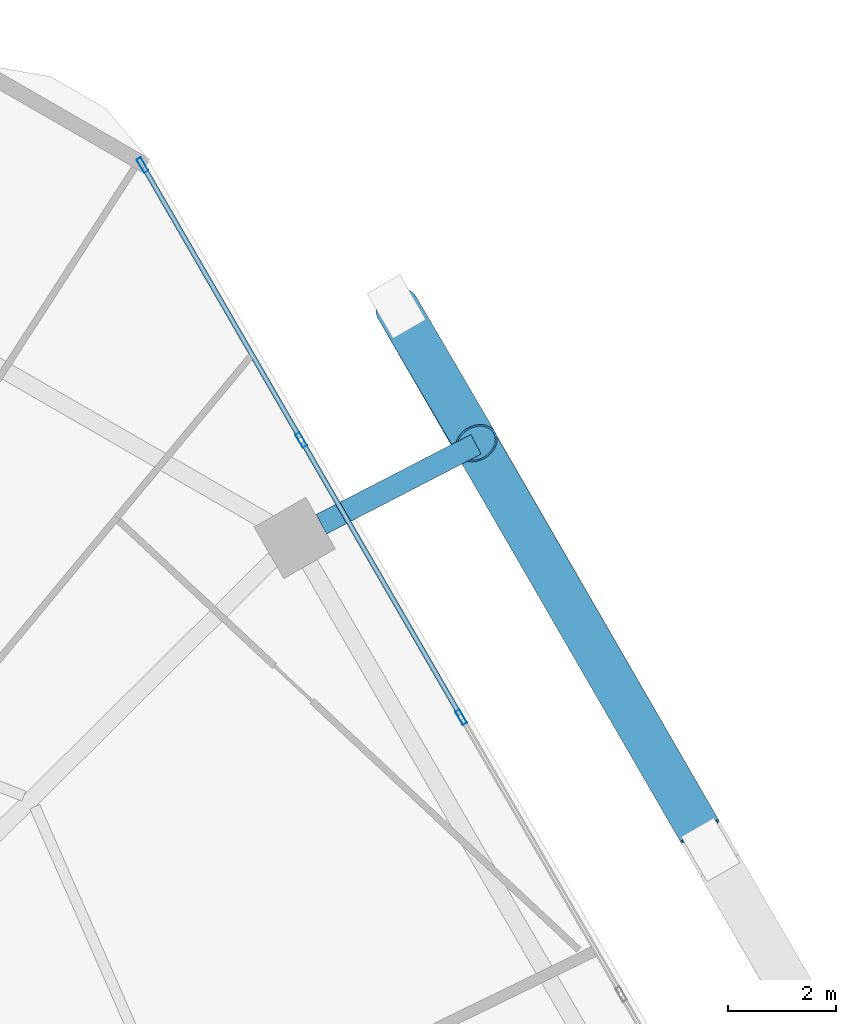
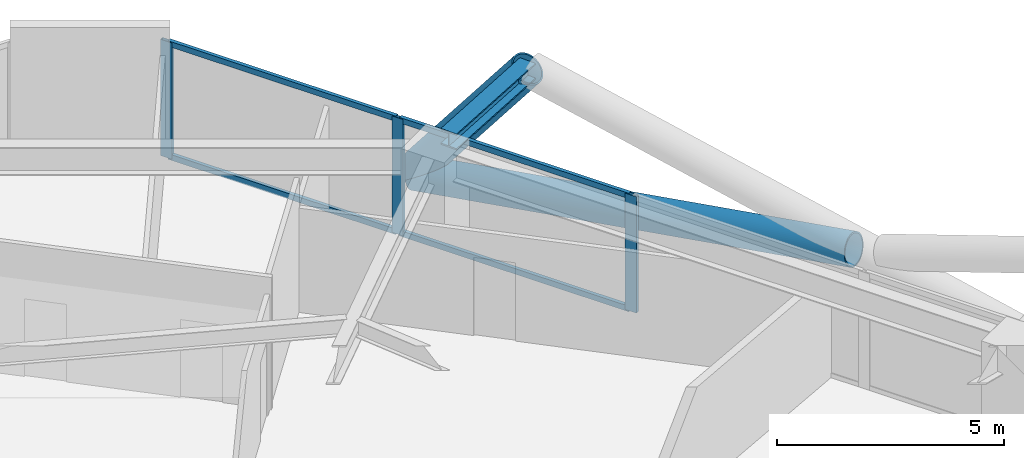
# One storey, part 24 of 35: 9 members, 1 beam, 1 element without a shape of its own.
"""IFC4 building model written with IfcOpenShell, lengths in metres."""

from ifc_helpers import new_model, si_unit, direction, frame, origin, origin_2d, place, context, subcontext, project, spatial, hollow_rectangle, hollow_circle, i_section, extrude, material, material_profile, profile_set, type_object, element, aggregate, save


model = new_model("IFC4")

# Units and contexts
model_context = context("Model", 3, precision=1e-05, world=origin(), true_north=direction((0.0, 1.0)))
body_context = subcontext(model_context, "Body", "Model", "MODEL_VIEW")
ifc_project = project(units=[si_unit("LENGTHUNIT", "METRE"), si_unit("AREAUNIT", "SQUARE_METRE"), si_unit("VOLUMEUNIT", "CUBIC_METRE"), si_unit("PLANEANGLEUNIT", "RADIAN"), si_unit("MASSUNIT", "GRAM", prefix="KILO")], contexts=[model_context])

# Site, building, storey
site_placement = place(None, origin())
site = spatial("IfcSite", under=ifc_project, at=site_placement, CompositionType="ELEMENT")
building_placement = place(site_placement, origin())
building = spatial("IfcBuilding", under=site, at=building_placement, Name="Zuhravey Tower", CompositionType="ELEMENT")
storey_placement = place(building_placement, frame((0.0, 0.0, 138.0)))
storey = spatial("IfcBuildingStorey", under=building, at=storey_placement, Name="L34", CompositionType="ELEMENT", Elevation=138.0)

# Curtain wall, members
ifc_material_1 = material(Name="Thermally broken anodised aluminium", Category="aluminium")
curtain_wall_type = type_object("IfcCurtainWallType", Name="Zone 1-2 Residential Curtain Wall CW3", PredefinedType="NOTDEFINED", material=ifc_material_1)
curtain_wall_placement = place(storey_placement, origin())
curtain_wall = element("IfcCurtainWall", 1, at=curtain_wall_placement, inside=storey, type_object=curtain_wall_type, Name="L34 CW3 CW-L34-F1-1", PredefinedType="NOTDEFINED")
ifc_material_2 = material(Name="Anodised aluminium", Category="aluminium")
ifc_material_profile_1 = material_profile(ifc_material_2, hollow_rectangle(XDim=0.090087890625, YDim=0.284912109375, WallThickness=0.0048828125, at=origin_2d()), Name="ALU-RHS-90x285x5")
ifc_profile_set_1 = profile_set([ifc_material_profile_1], Name="Anodised aluminium")
member_type_1 = type_object("IfcMemberType", Name="Curtain-Wall Mullion 90x180", PredefinedType="MULLION", material=ifc_profile_set_1)
member_1_placement = place(storey_placement, frame((53.701416015625, 59.257080078125, 0.0), z_axis=(0.0, 0.0, 1.0), x_axis=(0.86602552265, 0.499999794119, 0.0)))
member_1 = element("IfcMember", 2, at=member_1_placement, type_object=member_type_1, Name="CW3 mullion 1", PredefinedType="MULLION", context=body_context, shape_type="SweptSolid", body=[
    extrude(hollow_rectangle(XDim=0.090087890625, YDim=0.284912109375, WallThickness=0.0048828125, at=origin_2d()), origin(), (0.0, 0.0, 1.0), 3.1220703125),
])
member_2_placement = place(storey_placement, frame((56.638916015625, 54.169189453125, 0.0), z_axis=(0.0, 0.0, 1.0), x_axis=(0.86602552265, 0.499999794119, 0.0)))
member_2 = element("IfcMember", 3, at=member_2_placement, type_object=member_type_1, Name="CW3 mullion 2", PredefinedType="MULLION", context=body_context, shape_type="SweptSolid", body=[
    extrude(hollow_rectangle(XDim=0.090087890625, YDim=0.284912109375, WallThickness=0.0048828125, at=origin_2d()), origin(), (0.0, 0.0, 1.0), 3.1220703125),
])
member_3_placement = place(storey_placement, frame((59.598876953125, 49.04248046875, 0.0), z_axis=(0.0, 0.0, 1.0), x_axis=(0.86602552265, 0.499999794119, 0.0)))
member_3 = element("IfcMember", 4, at=member_3_placement, type_object=member_type_1, Name="CW3 mullion 3", PredefinedType="MULLION", context=body_context, shape_type="SweptSolid", body=[
    extrude(hollow_rectangle(XDim=0.090087890625, YDim=0.284912109375, WallThickness=0.0048828125, at=origin_2d()), origin(), (0.0, 0.0, 1.0), 3.1220703125),
])
ifc_material_profile_2 = material_profile(ifc_material_2, hollow_rectangle(XDim=0.090087890625, YDim=0.14990234375, WallThickness=0.0048828125, at=origin_2d()), Name="ALU-RHS-90x150x5")
ifc_profile_set_2 = profile_set([ifc_material_profile_2], Name="Anodised aluminium")
member_type_2 = type_object("IfcMemberType", Name="Curtain-Wall Transom 90x150", PredefinedType="USERDEFINED", material=ifc_profile_set_2)
member_4_placement = place(storey_placement, frame((53.72412109375, 59.218017578125, 0.044921875), z_axis=(0.499992798144, -0.866029561738, 0.0), x_axis=(0.866029561738, 0.499992798144, 0.0)))
member_4 = element("IfcMember", 5, at=member_4_placement, type_object=member_type_2, Name="CW3 transom 1.1", ObjectType="TRANSOM", PredefinedType="USERDEFINED", context=body_context, shape_type="SweptSolid", body=[
    extrude(hollow_rectangle(XDim=0.090087890625, YDim=0.14990234375, WallThickness=0.0048828125, at=origin_2d()), origin(), (0.0, 0.0, 1.0), 5.78466796875),
])
member_5_placement = place(storey_placement, frame((53.72412109375, 59.218017578125, 3.076904296875), z_axis=(0.499992798144, -0.866029561738, 0.0), x_axis=(0.866029561738, 0.499992798144, 0.0)))
member_5 = element("IfcMember", 6, at=member_5_placement, type_object=member_type_2, Name="CW3 transom 1.2", ObjectType="TRANSOM", PredefinedType="USERDEFINED", context=body_context, shape_type="SweptSolid", body=[
    extrude(hollow_rectangle(XDim=0.090087890625, YDim=0.14990234375, WallThickness=0.0048828125, at=origin_2d()), origin(), (0.0, 0.0, 1.0), 5.78466796875),
])
member_6_placement = place(storey_placement, frame((56.661376953125, 54.13037109375, 0.044921875), z_axis=(0.500012451049, -0.866018215049, 0.0), x_axis=(0.866018215049, 0.500012451049, 0.0)))
member_6 = element("IfcMember", 7, at=member_6_placement, type_object=member_type_2, Name="CW3 transom 2.1", ObjectType="TRANSOM", PredefinedType="USERDEFINED", context=body_context, shape_type="SweptSolid", body=[
    extrude(hollow_rectangle(XDim=0.090087890625, YDim=0.14990234375, WallThickness=0.0048828125, at=origin_2d()), origin(), (0.0, 0.0, 1.0), 5.829833984375),
])
member_7_placement = place(storey_placement, frame((56.661376953125, 54.13037109375, 3.076904296875), z_axis=(0.500012451049, -0.866018215049, 0.0), x_axis=(0.866018215049, 0.500012451049, 0.0)))
member_7 = element("IfcMember", 8, at=member_7_placement, type_object=member_type_2, Name="CW3 transom 2.2", ObjectType="TRANSOM", PredefinedType="USERDEFINED", context=body_context, shape_type="SweptSolid", body=[
    extrude(hollow_rectangle(XDim=0.090087890625, YDim=0.14990234375, WallThickness=0.0048828125, at=origin_2d()), origin(), (0.0, 0.0, 1.0), 5.829833984375),
])
aggregate(curtain_wall, [member_1, member_2, member_3, member_4, member_5, member_6, member_7])

# Beam
ifc_material_3 = material(Name="Steel SM460", Category="steel")
ifc_material_profile_3 = material_profile(ifc_material_3, i_section(OverallWidth=0.406982421875, OverallDepth=0.427978515625, WebThickness=0.02001953125, FlangeThickness=0.034912109375, at=origin_2d()), Name="H-428x407x20x35")
ifc_profile_set_3 = profile_set([ifc_material_profile_3], Name="Steel SM460")
beam_type = type_object("IfcBeamType", Name="Exoskeleton Node Tie Beam H428x407", PredefinedType="BEAM", material=ifc_profile_set_3)
beam_placement = place(storey_placement, frame((57.01171875, 52.611572265625, 3.3359375), z_axis=(0.888356317313, 0.459154716289, 0.0), x_axis=(-0.459154716289, 0.888356317313, 0.0)))
element("IfcBeam", 9, at=beam_placement, inside=storey, type_object=beam_type, Name="L34 Exoskeleton Node Tie NT1-02", PredefinedType="BEAM", context=body_context, shape_type="SweptSolid", body=[
    extrude(i_section(OverallWidth=0.406982421875, OverallDepth=0.427978515625, WebThickness=0.02001953125, FlangeThickness=0.034912109375, at=origin_2d()), origin(), (0.0, 0.0, 1.0), 3.219482421875),
])

# Members
ifc_material_profile_4 = material_profile(ifc_material_3, hollow_circle(Radius=0.406494140625, WallThickness=0.035888671875, at=origin_2d()), Name="CHS-812.8x36")
ifc_profile_set_4 = profile_set([ifc_material_profile_4], Name="Steel SM460")
member_type_3 = type_object("IfcMemberType", Name="Exoskeleton Zone 1 Diagrid CHS813x36", PredefinedType="BRACE", material=ifc_profile_set_4)
member_8_placement = place(storey_placement, frame((58.4091796875, 56.623291015625, -0.44189453125), z_axis=(0.308863561173, -0.528716858128, 0.790608490032), x_axis=(0.863462148259, 0.50441363832, 0.0)))
element("IfcMember", 10, at=member_8_placement, inside=storey, type_object=member_type_3, Name="L34 Face 1 Diagrid Brace 4", PredefinedType="BRACE", context=body_context, shape_type="SweptSolid", body=[
    extrude(hollow_circle(Radius=0.406494140625, WallThickness=0.035888671875, at=origin_2d()), origin(), (0.0, 0.0, 1.0), 4.75048828125),
])
member_9_placement = place(storey_placement, frame((58.436767578125, 56.575439453125, -0.4521484375), z_axis=(0.493989037049, -0.854330799392, 0.161535496054), x_axis=(0.865700123402, 0.500562979395, 0.0)))
element("IfcMember", 11, at=member_9_placement, inside=storey, type_object=member_type_3, Name="L34 Face 1 Split Diagrid Brace 3A", PredefinedType="BRACE", context=body_context, shape_type="SweptSolid", body=[
    extrude(hollow_circle(Radius=0.406494140625, WallThickness=0.035888671875, at=origin_2d()), origin(), (0.0, 0.0, 1.0), 11.29296875),
])

save(model, "model.ifc")
